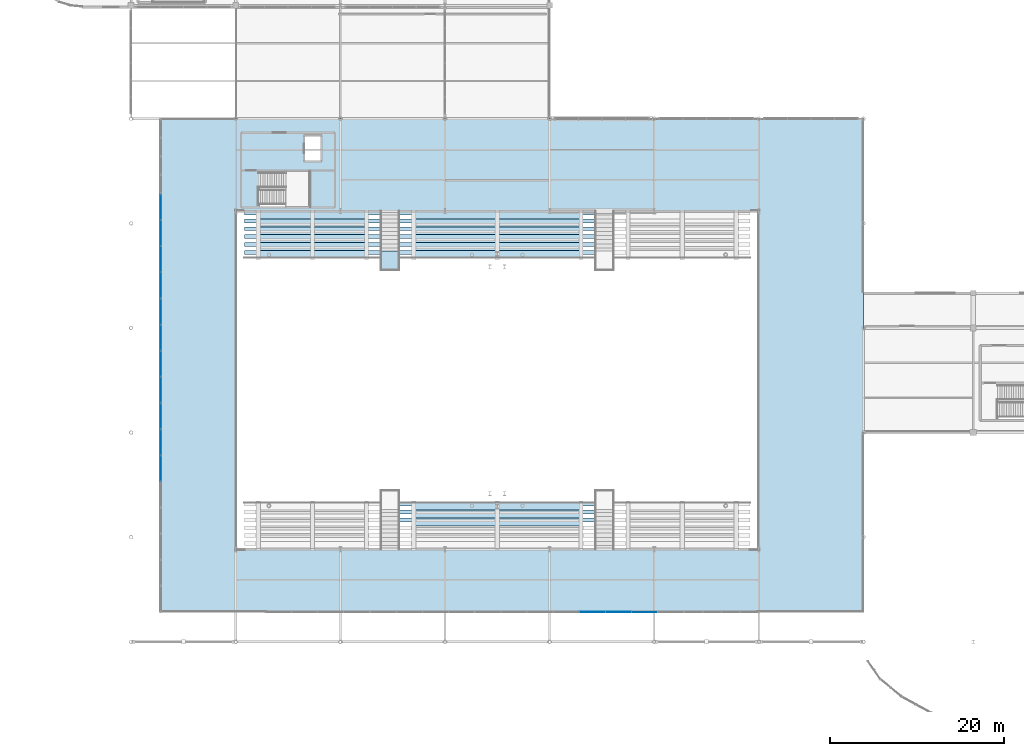
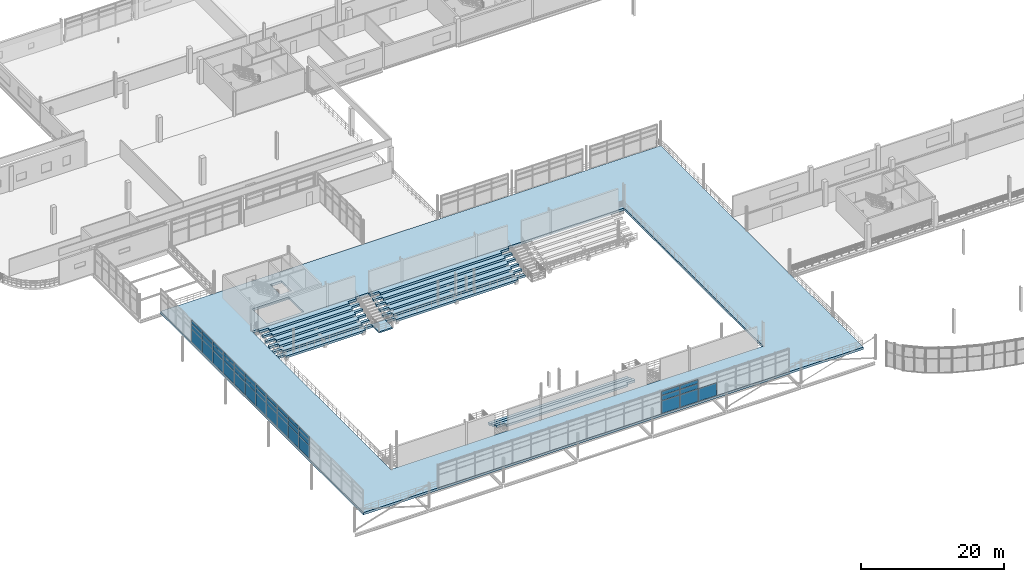
# One storey, part 55 of 89: 40 plates, 17 slabs, 5 elements without a shape of their own.
"""IFC4 building model written with IfcOpenShell, lengths in metres."""

from ifc_helpers import new_model, si_unit, direction, frame, origin, origin_2d, place, context, subcontext, project, spatial, polyline, rectangle, outline, extrude, material, layer, layer_set, type_object, element, aggregate, save


model = new_model("IFC4")

# Units and contexts
model_context = context("Model", 3, precision=1e-05, world=origin(), true_north=direction((0.0, 1.0)))
body_context = subcontext(model_context, "Body", "Model", "MODEL_VIEW")
ifc_project = project(units=[si_unit("LENGTHUNIT", "METRE"), si_unit("AREAUNIT", "SQUARE_METRE"), si_unit("VOLUMEUNIT", "CUBIC_METRE"), si_unit("PLANEANGLEUNIT", "RADIAN"), si_unit("MASSUNIT", "GRAM", prefix="KILO"), si_unit("THERMODYNAMICTEMPERATUREUNIT", "KELVIN"), si_unit("POWERUNIT", "WATT")], contexts=[model_context])

# Site, building, storey
site_placement = place(None, origin())
site = spatial("IfcSite", under=ifc_project, at=site_placement, CompositionType="ELEMENT")
building_placement = place(site_placement, origin())
building = spatial("IfcBuilding", under=site, at=building_placement, Name="Solmara Park Aquatics Centre", CompositionType="ELEMENT")
storey_placement = place(building_placement, frame((0.0, 0.0, 5.39990234375)))
storey = spatial("IfcBuildingStorey", under=building, at=storey_placement, Name="L01", CompositionType="ELEMENT", Elevation=5.39990234375)

# Curtain wall, plates
ifc_material_1 = material(Name="Anodised Aluminium Curtain Wall Framing", Category="aluminium")
curtain_wall_type = type_object("IfcCurtainWallType", Name="ARC-CW-SYS05", PredefinedType="USERDEFINED", material=ifc_material_1)
curtain_wall_1_placement = place(storey_placement, origin())
curtain_wall_1 = element("IfcCurtainWall", 1, at=curtain_wall_1_placement, inside=storey, type_object=curtain_wall_type, Name="Curtain Wall CW-008", ObjectType="CURTAIN WALL", PredefinedType="USERDEFINED")
ifc_material_2 = material(Name="Double Low-E Solar-Control Glazing", Category="glass")
ifc_layer_1 = layer(ifc_material_2, 0.031982421875, Name="Double Low-E Solar-Control Glazing")
ifc_layer_set_1 = layer_set([ifc_layer_1], Name="Double Low-E Solar-Control Glazing")
plate_type_1 = type_object("IfcPlateType", Name="ARC-CWP-GLZ32-2900x2140", PredefinedType="CURTAIN_PANEL", material=ifc_layer_set_1)
plate_1_placement = place(storey_placement, frame((65.510009765625, 16.0, 0.080078125), z_axis=(0.0, 0.0, 1.0), x_axis=(1.0, 0.0, 0.0)))
plate_1 = element("IfcPlate", 2, at=plate_1_placement, type_object=plate_type_1, Name="CW-008 panel 1", PredefinedType="CURTAIN_PANEL", context=body_context, shape_type="SweptSolid", body=[
    extrude(rectangle(XDim=2.89990234375, YDim=0.031982421875, at=origin_2d()), origin(), (0.0, 0.0, 1.0), 2.14208984375),
])
plate_2_placement = place(storey_placement, frame((68.489990234375, 16.0, 0.080078125), z_axis=(0.0, 0.0, 1.0), x_axis=(1.0, 0.0, 0.0)))
plate_2 = element("IfcPlate", 3, at=plate_2_placement, type_object=plate_type_1, Name="CW-008 panel 4", PredefinedType="CURTAIN_PANEL", context=body_context, shape_type="SweptSolid", body=[
    extrude(rectangle(XDim=2.89990234375, YDim=0.031982421875, at=origin_2d()), origin(), (0.0, 0.0, 1.0), 2.14208984375),
])
plate_3_placement = place(storey_placement, frame((71.469970703125, 16.0, 0.080078125), z_axis=(0.0, 0.0, 1.0), x_axis=(1.0, 0.0, 0.0)))
plate_3 = element("IfcPlate", 4, at=plate_3_placement, type_object=plate_type_1, Name="CW-008 panel 7", PredefinedType="CURTAIN_PANEL", context=body_context, shape_type="SweptSolid", body=[
    extrude(rectangle(XDim=2.89990234375, YDim=0.031982421875, at=origin_2d()), origin(), (0.0, 0.0, 1.0), 2.14208984375),
])
ifc_layer_2 = layer(ifc_material_2, 0.031982421875, Name="Double Low-E Solar-Control Glazing")
ifc_layer_set_2 = layer_set([ifc_layer_2], Name="Double Low-E Solar-Control Glazing")
plate_type_2 = type_object("IfcPlateType", Name="ARC-CWP-GLZ32-2900x800", PredefinedType="CURTAIN_PANEL", material=ifc_layer_set_2)
plate_4_placement = place(storey_placement, frame((65.510009765625, 16.0, 2.302001953125), z_axis=(0.0, 0.0, 1.0), x_axis=(1.0, 0.0, 0.0)))
plate_4 = element("IfcPlate", 5, at=plate_4_placement, type_object=plate_type_2, Name="CW-008 panel 2", PredefinedType="CURTAIN_PANEL", context=body_context, shape_type="SweptSolid", body=[
    extrude(rectangle(XDim=2.89990234375, YDim=0.031982421875, at=origin_2d()), origin(), (0.0, 0.0, 1.0), 0.80810546875),
])
plate_5_placement = place(storey_placement, frame((68.489990234375, 16.0, 2.302001953125), z_axis=(0.0, 0.0, 1.0), x_axis=(1.0, 0.0, 0.0)))
plate_5 = element("IfcPlate", 6, at=plate_5_placement, type_object=plate_type_2, Name="CW-008 panel 5", PredefinedType="CURTAIN_PANEL", context=body_context, shape_type="SweptSolid", body=[
    extrude(rectangle(XDim=2.89990234375, YDim=0.031982421875, at=origin_2d()), origin(), (0.0, 0.0, 1.0), 0.80810546875),
])

curtain_wall_2_placement = place(storey_placement, origin())
curtain_wall_2 = element("IfcCurtainWall", 7, at=curtain_wall_2_placement, inside=storey, type_object=curtain_wall_type, Name="Curtain Wall CW-014", ObjectType="CURTAIN WALL", PredefinedType="USERDEFINED")
ifc_layer_3 = layer(ifc_material_2, 0.035888671875, Name="Double Low-E Solar-Control Glazing")
ifc_layer_set_3 = layer_set([ifc_layer_3], Name="Double Low-E Solar-Control Glazing")
plate_type_3 = type_object("IfcPlateType", Name="ARC-CWP-GLZ36-2900x2140", PredefinedType="CURTAIN_PANEL", material=ifc_layer_set_3)
plate_6_placement = place(storey_placement, frame((16.0, 32.489990234375, 0.080078125), z_axis=(0.0, 0.0, 1.0), x_axis=(0.0, 1.0, 0.0)))
plate_6 = element("IfcPlate", 8, at=plate_6_placement, type_object=plate_type_3, Name="CW-014 panel 4", PredefinedType="CURTAIN_PANEL", context=body_context, shape_type="SweptSolid", body=[
    extrude(rectangle(XDim=2.89990234375, YDim=0.035888671875, at=origin_2d()), origin(), (0.0, 0.0, 1.0), 2.14208984375),
])
plate_7_placement = place(storey_placement, frame((16.0, 35.469970703125, 0.080078125), z_axis=(0.0, 0.0, 1.0), x_axis=(0.0, 1.0, 0.0)))
plate_7 = element("IfcPlate", 9, at=plate_7_placement, type_object=plate_type_3, Name="CW-014 panel 7", PredefinedType="CURTAIN_PANEL", context=body_context, shape_type="SweptSolid", body=[
    extrude(rectangle(XDim=2.89990234375, YDim=0.035888671875, at=origin_2d()), origin(), (0.0, 0.0, 1.0), 2.14208984375),
])
plate_8_placement = place(storey_placement, frame((16.0, 38.449951171875, 0.080078125), z_axis=(0.0, 0.0, 1.0), x_axis=(0.0, 1.0, 0.0)))
plate_8 = element("IfcPlate", 10, at=plate_8_placement, type_object=plate_type_3, Name="CW-014 panel 10", PredefinedType="CURTAIN_PANEL", context=body_context, shape_type="SweptSolid", body=[
    extrude(rectangle(XDim=2.89990234375, YDim=0.035888671875, at=origin_2d()), origin(), (0.0, 0.0, 1.0), 2.14208984375),
])

curtain_wall_3_placement = place(storey_placement, origin())
curtain_wall_3 = element("IfcCurtainWall", 11, at=curtain_wall_3_placement, inside=storey, type_object=curtain_wall_type, Name="Curtain Wall CW-016", ObjectType="CURTAIN WALL", PredefinedType="USERDEFINED")
plate_9_placement = place(storey_placement, frame((16.0, 41.510009765625, 0.080078125), z_axis=(0.0, 0.0, 1.0), x_axis=(0.0, 1.0, 0.0)))
plate_9 = element("IfcPlate", 12, at=plate_9_placement, type_object=plate_type_3, Name="CW-016 panel 1", PredefinedType="CURTAIN_PANEL", context=body_context, shape_type="SweptSolid", body=[
    extrude(rectangle(XDim=2.89990234375, YDim=0.035888671875, at=origin_2d()), origin(), (0.0, 0.0, 1.0), 2.14208984375),
])
plate_10_placement = place(storey_placement, frame((16.0, 44.489990234375, 0.080078125), z_axis=(0.0, 0.0, 1.0), x_axis=(0.0, 1.0, 0.0)))
plate_10 = element("IfcPlate", 13, at=plate_10_placement, type_object=plate_type_3, Name="CW-016 panel 4", PredefinedType="CURTAIN_PANEL", context=body_context, shape_type="SweptSolid", body=[
    extrude(rectangle(XDim=2.89990234375, YDim=0.035888671875, at=origin_2d()), origin(), (0.0, 0.0, 1.0), 2.14208984375),
])
plate_11_placement = place(storey_placement, frame((16.0, 47.469970703125, 0.080078125), z_axis=(0.0, 0.0, 1.0), x_axis=(0.0, 1.0, 0.0)))
plate_11 = element("IfcPlate", 14, at=plate_11_placement, type_object=plate_type_3, Name="CW-016 panel 7", PredefinedType="CURTAIN_PANEL", context=body_context, shape_type="SweptSolid", body=[
    extrude(rectangle(XDim=2.89990234375, YDim=0.035888671875, at=origin_2d()), origin(), (0.0, 0.0, 1.0), 2.14208984375),
])
plate_12_placement = place(storey_placement, frame((16.0, 50.449951171875, 0.080078125), z_axis=(0.0, 0.0, 1.0), x_axis=(0.0, 1.0, 0.0)))
plate_12 = element("IfcPlate", 15, at=plate_12_placement, type_object=plate_type_3, Name="CW-016 panel 10", PredefinedType="CURTAIN_PANEL", context=body_context, shape_type="SweptSolid", body=[
    extrude(rectangle(XDim=2.89990234375, YDim=0.035888671875, at=origin_2d()), origin(), (0.0, 0.0, 1.0), 2.14208984375),
])

curtain_wall_4_placement = place(storey_placement, origin())
curtain_wall_4 = element("IfcCurtainWall", 16, at=curtain_wall_4_placement, inside=storey, type_object=curtain_wall_type, Name="Curtain Wall CW-018", ObjectType="CURTAIN WALL", PredefinedType="USERDEFINED")
plate_13_placement = place(storey_placement, frame((16.0, 53.510009765625, 0.080078125), z_axis=(0.0, 0.0, 1.0), x_axis=(0.0, 1.0, 0.0)))
plate_13 = element("IfcPlate", 17, at=plate_13_placement, type_object=plate_type_3, Name="CW-018 panel 1", PredefinedType="CURTAIN_PANEL", context=body_context, shape_type="SweptSolid", body=[
    extrude(rectangle(XDim=2.89990234375, YDim=0.035888671875, at=origin_2d()), origin(), (0.0, 0.0, 1.0), 2.14208984375),
])
plate_14_placement = place(storey_placement, frame((16.0, 56.489990234375, 0.080078125), z_axis=(0.0, 0.0, 1.0), x_axis=(0.0, 1.0, 0.0)))
plate_14 = element("IfcPlate", 18, at=plate_14_placement, type_object=plate_type_3, Name="CW-018 panel 4", PredefinedType="CURTAIN_PANEL", context=body_context, shape_type="SweptSolid", body=[
    extrude(rectangle(XDim=2.89990234375, YDim=0.035888671875, at=origin_2d()), origin(), (0.0, 0.0, 1.0), 2.14208984375),
])
plate_15_placement = place(storey_placement, frame((16.0, 59.469970703125, 0.080078125), z_axis=(0.0, 0.0, 1.0), x_axis=(0.0, 1.0, 0.0)))
plate_15 = element("IfcPlate", 19, at=plate_15_placement, type_object=plate_type_3, Name="CW-018 panel 7", PredefinedType="CURTAIN_PANEL", context=body_context, shape_type="SweptSolid", body=[
    extrude(rectangle(XDim=2.89990234375, YDim=0.035888671875, at=origin_2d()), origin(), (0.0, 0.0, 1.0), 2.14208984375),
])
plate_16_placement = place(storey_placement, frame((16.0, 62.449951171875, 0.080078125), z_axis=(0.0, 0.0, 1.0), x_axis=(0.0, 1.0, 0.0)))
plate_16 = element("IfcPlate", 20, at=plate_16_placement, type_object=plate_type_3, Name="CW-018 panel 10", PredefinedType="CURTAIN_PANEL", context=body_context, shape_type="SweptSolid", body=[
    extrude(rectangle(XDim=2.89990234375, YDim=0.035888671875, at=origin_2d()), origin(), (0.0, 0.0, 1.0), 2.14208984375),
])

# Plate
ifc_layer_4 = layer(ifc_material_2, 0.035888671875, Name="Double Low-E Solar-Control Glazing")
ifc_layer_set_4 = layer_set([ifc_layer_4], Name="Double Low-E Solar-Control Glazing")
plate_type_4 = type_object("IfcPlateType", Name="ARC-CWP-GLZ36-2900x800", PredefinedType="CURTAIN_PANEL", material=ifc_layer_set_4)
plate_17_placement = place(storey_placement, frame((16.0, 32.489990234375, 2.302001953125), z_axis=(0.0, 0.0, 1.0), x_axis=(0.0, 1.0, 0.0)))
plate_17 = element("IfcPlate", 21, at=plate_17_placement, type_object=plate_type_4, Name="CW-014 panel 5", PredefinedType="CURTAIN_PANEL", context=body_context, shape_type="SweptSolid", body=[
    extrude(rectangle(XDim=2.89990234375, YDim=0.035888671875, at=origin_2d()), origin(), (0.0, 0.0, 1.0), 0.80810546875),
])

plate_18_placement = place(storey_placement, frame((16.0, 35.469970703125, 2.302001953125), z_axis=(0.0, 0.0, 1.0), x_axis=(0.0, 1.0, 0.0)))
plate_18 = element("IfcPlate", 22, at=plate_18_placement, type_object=plate_type_4, Name="CW-014 panel 8", PredefinedType="CURTAIN_PANEL", context=body_context, shape_type="SweptSolid", body=[
    extrude(rectangle(XDim=2.89990234375, YDim=0.035888671875, at=origin_2d()), origin(), (0.0, 0.0, 1.0), 0.80810546875),
])

plate_19_placement = place(storey_placement, frame((16.0, 38.449951171875, 2.302001953125), z_axis=(0.0, 0.0, 1.0), x_axis=(0.0, 1.0, 0.0)))
plate_19 = element("IfcPlate", 23, at=plate_19_placement, type_object=plate_type_4, Name="CW-014 panel 11", PredefinedType="CURTAIN_PANEL", context=body_context, shape_type="SweptSolid", body=[
    extrude(rectangle(XDim=2.89990234375, YDim=0.035888671875, at=origin_2d()), origin(), (0.0, 0.0, 1.0), 0.80810546875),
])

plate_20_placement = place(storey_placement, frame((16.0, 41.510009765625, 2.302001953125), z_axis=(0.0, 0.0, 1.0), x_axis=(0.0, 1.0, 0.0)))
plate_20 = element("IfcPlate", 24, at=plate_20_placement, type_object=plate_type_4, Name="CW-016 panel 2", PredefinedType="CURTAIN_PANEL", context=body_context, shape_type="SweptSolid", body=[
    extrude(rectangle(XDim=2.89990234375, YDim=0.035888671875, at=origin_2d()), origin(), (0.0, 0.0, 1.0), 0.80810546875),
])

plate_21_placement = place(storey_placement, frame((16.0, 44.489990234375, 2.302001953125), z_axis=(0.0, 0.0, 1.0), x_axis=(0.0, 1.0, 0.0)))
plate_21 = element("IfcPlate", 25, at=plate_21_placement, type_object=plate_type_4, Name="CW-016 panel 5", PredefinedType="CURTAIN_PANEL", context=body_context, shape_type="SweptSolid", body=[
    extrude(rectangle(XDim=2.89990234375, YDim=0.035888671875, at=origin_2d()), origin(), (0.0, 0.0, 1.0), 0.80810546875),
])

plate_22_placement = place(storey_placement, frame((16.0, 47.469970703125, 2.302001953125), z_axis=(0.0, 0.0, 1.0), x_axis=(0.0, 1.0, 0.0)))
plate_22 = element("IfcPlate", 26, at=plate_22_placement, type_object=plate_type_4, Name="CW-016 panel 8", PredefinedType="CURTAIN_PANEL", context=body_context, shape_type="SweptSolid", body=[
    extrude(rectangle(XDim=2.89990234375, YDim=0.035888671875, at=origin_2d()), origin(), (0.0, 0.0, 1.0), 0.80810546875),
])

plate_23_placement = place(storey_placement, frame((16.0, 50.449951171875, 2.302001953125), z_axis=(0.0, 0.0, 1.0), x_axis=(0.0, 1.0, 0.0)))
plate_23 = element("IfcPlate", 27, at=plate_23_placement, type_object=plate_type_4, Name="CW-016 panel 11", PredefinedType="CURTAIN_PANEL", context=body_context, shape_type="SweptSolid", body=[
    extrude(rectangle(XDim=2.89990234375, YDim=0.035888671875, at=origin_2d()), origin(), (0.0, 0.0, 1.0), 0.80810546875),
])

plate_24_placement = place(storey_placement, frame((16.0, 53.510009765625, 2.302001953125), z_axis=(0.0, 0.0, 1.0), x_axis=(0.0, 1.0, 0.0)))
plate_24 = element("IfcPlate", 28, at=plate_24_placement, type_object=plate_type_4, Name="CW-018 panel 2", PredefinedType="CURTAIN_PANEL", context=body_context, shape_type="SweptSolid", body=[
    extrude(rectangle(XDim=2.89990234375, YDim=0.035888671875, at=origin_2d()), origin(), (0.0, 0.0, 1.0), 0.80810546875),
])

plate_25_placement = place(storey_placement, frame((16.0, 56.489990234375, 2.302001953125), z_axis=(0.0, 0.0, 1.0), x_axis=(0.0, 1.0, 0.0)))
plate_25 = element("IfcPlate", 29, at=plate_25_placement, type_object=plate_type_4, Name="CW-018 panel 5", PredefinedType="CURTAIN_PANEL", context=body_context, shape_type="SweptSolid", body=[
    extrude(rectangle(XDim=2.89990234375, YDim=0.035888671875, at=origin_2d()), origin(), (0.0, 0.0, 1.0), 0.80810546875),
])

plate_26_placement = place(storey_placement, frame((16.0, 59.469970703125, 2.302001953125), z_axis=(0.0, 0.0, 1.0), x_axis=(0.0, 1.0, 0.0)))
plate_26 = element("IfcPlate", 30, at=plate_26_placement, type_object=plate_type_4, Name="CW-018 panel 8", PredefinedType="CURTAIN_PANEL", context=body_context, shape_type="SweptSolid", body=[
    extrude(rectangle(XDim=2.89990234375, YDim=0.035888671875, at=origin_2d()), origin(), (0.0, 0.0, 1.0), 0.80810546875),
])

plate_27_placement = place(storey_placement, frame((16.0, 62.449951171875, 2.302001953125), z_axis=(0.0, 0.0, 1.0), x_axis=(0.0, 1.0, 0.0)))
plate_27 = element("IfcPlate", 31, at=plate_27_placement, type_object=plate_type_4, Name="CW-018 panel 11", PredefinedType="CURTAIN_PANEL", context=body_context, shape_type="SweptSolid", body=[
    extrude(rectangle(XDim=2.89990234375, YDim=0.035888671875, at=origin_2d()), origin(), (0.0, 0.0, 1.0), 0.80810546875),
])

ifc_material_3 = material(Name="Golden-Ochre Enamelled Aluminium Fascia Panel", Category="aluminium")
ifc_layer_5 = layer(ifc_material_3, 0.0400390625, Name="Golden-Ochre Enamelled Aluminium Fascia Panel")
ifc_layer_set_5 = layer_set([ifc_layer_5], Name="Golden-Ochre Enamelled Aluminium Fascia Panel")
plate_type_5 = type_object("IfcPlateType", Name="ARC-CWP-OCH40-2900x640", PredefinedType="CURTAIN_PANEL", material=ifc_layer_set_5)
plate_28_placement = place(storey_placement, frame((65.510009765625, 16.0, 3.190185546875), z_axis=(0.0, 0.0, 1.0), x_axis=(1.0, 0.0, 0.0)))
plate_28 = element("IfcPlate", 32, at=plate_28_placement, type_object=plate_type_5, Name="CW-008 panel 3", PredefinedType="CURTAIN_PANEL", context=body_context, shape_type="SweptSolid", body=[
    extrude(rectangle(XDim=2.89990234375, YDim=0.0400390625, at=origin_2d()), origin(), (0.0, 0.0, 1.0), 0.6298828125),
])

plate_29_placement = place(storey_placement, frame((68.489990234375, 16.0, 3.190185546875), z_axis=(0.0, 0.0, 1.0), x_axis=(1.0, 0.0, 0.0)))
plate_29 = element("IfcPlate", 33, at=plate_29_placement, type_object=plate_type_5, Name="CW-008 panel 6", PredefinedType="CURTAIN_PANEL", context=body_context, shape_type="SweptSolid", body=[
    extrude(rectangle(XDim=2.89990234375, YDim=0.0400390625, at=origin_2d()), origin(), (0.0, 0.0, 1.0), 0.6298828125),
])

aggregate(curtain_wall_1, [plate_1, plate_4, plate_28, plate_2, plate_5, plate_29, plate_3])

plate_30_placement = place(storey_placement, frame((16.0, 41.510009765625, 3.190185546875), z_axis=(0.0, 0.0, 1.0), x_axis=(0.0, 1.0, 0.0)))
plate_30 = element("IfcPlate", 34, at=plate_30_placement, type_object=plate_type_5, Name="CW-016 panel 3", PredefinedType="CURTAIN_PANEL", context=body_context, shape_type="SweptSolid", body=[
    extrude(rectangle(XDim=2.89990234375, YDim=0.0400390625, at=origin_2d()), origin(), (0.0, 0.0, 1.0), 0.6298828125),
])

plate_31_placement = place(storey_placement, frame((16.0, 44.489990234375, 3.190185546875), z_axis=(0.0, 0.0, 1.0), x_axis=(0.0, 1.0, 0.0)))
plate_31 = element("IfcPlate", 35, at=plate_31_placement, type_object=plate_type_5, Name="CW-016 panel 6", PredefinedType="CURTAIN_PANEL", context=body_context, shape_type="SweptSolid", body=[
    extrude(rectangle(XDim=2.89990234375, YDim=0.0400390625, at=origin_2d()), origin(), (0.0, 0.0, 1.0), 0.6298828125),
])

plate_32_placement = place(storey_placement, frame((16.0, 47.469970703125, 3.190185546875), z_axis=(0.0, 0.0, 1.0), x_axis=(0.0, 1.0, 0.0)))
plate_32 = element("IfcPlate", 36, at=plate_32_placement, type_object=plate_type_5, Name="CW-016 panel 9", PredefinedType="CURTAIN_PANEL", context=body_context, shape_type="SweptSolid", body=[
    extrude(rectangle(XDim=2.89990234375, YDim=0.0400390625, at=origin_2d()), origin(), (0.0, 0.0, 1.0), 0.6298828125),
])

plate_33_placement = place(storey_placement, frame((16.0, 50.449951171875, 3.190185546875), z_axis=(0.0, 0.0, 1.0), x_axis=(0.0, 1.0, 0.0)))
plate_33 = element("IfcPlate", 37, at=plate_33_placement, type_object=plate_type_5, Name="CW-016 panel 12", PredefinedType="CURTAIN_PANEL", context=body_context, shape_type="SweptSolid", body=[
    extrude(rectangle(XDim=2.89990234375, YDim=0.0400390625, at=origin_2d()), origin(), (0.0, 0.0, 1.0), 0.6298828125),
])

aggregate(curtain_wall_3, [plate_9, plate_20, plate_30, plate_10, plate_21, plate_31, plate_11, plate_22, plate_32, plate_12, plate_23, plate_33])

ifc_material_4 = material(Name="Insulated Anodised Aluminium Spandrel Panel", Category="aluminium")
ifc_layer_6 = layer(ifc_material_4, 0.0439453125, Name="Insulated Anodised Aluminium Spandrel Panel")
ifc_layer_set_6 = layer_set([ifc_layer_6], Name="Insulated Anodised Aluminium Spandrel Panel")
plate_type_6 = type_object("IfcPlateType", Name="ARC-CWP-SPN44-2900x640", PredefinedType="CURTAIN_PANEL", material=ifc_layer_set_6)
plate_34_placement = place(storey_placement, frame((16.0, 32.489990234375, 3.190185546875), z_axis=(0.0, 0.0, 1.0), x_axis=(0.0, 1.0, 0.0)))
plate_34 = element("IfcPlate", 38, at=plate_34_placement, type_object=plate_type_6, Name="CW-014 panel 6", PredefinedType="CURTAIN_PANEL", context=body_context, shape_type="SweptSolid", body=[
    extrude(rectangle(XDim=2.89990234375, YDim=0.0439453125, at=origin_2d()), origin(), (0.0, 0.0, 1.0), 0.6298828125),
])

plate_35_placement = place(storey_placement, frame((16.0, 35.469970703125, 3.190185546875), z_axis=(0.0, 0.0, 1.0), x_axis=(0.0, 1.0, 0.0)))
plate_35 = element("IfcPlate", 39, at=plate_35_placement, type_object=plate_type_6, Name="CW-014 panel 9", PredefinedType="CURTAIN_PANEL", context=body_context, shape_type="SweptSolid", body=[
    extrude(rectangle(XDim=2.89990234375, YDim=0.0439453125, at=origin_2d()), origin(), (0.0, 0.0, 1.0), 0.6298828125),
])

plate_36_placement = place(storey_placement, frame((16.0, 38.449951171875, 3.190185546875), z_axis=(0.0, 0.0, 1.0), x_axis=(0.0, 1.0, 0.0)))
plate_36 = element("IfcPlate", 40, at=plate_36_placement, type_object=plate_type_6, Name="CW-014 panel 12", PredefinedType="CURTAIN_PANEL", context=body_context, shape_type="SweptSolid", body=[
    extrude(rectangle(XDim=2.89990234375, YDim=0.0439453125, at=origin_2d()), origin(), (0.0, 0.0, 1.0), 0.6298828125),
])

aggregate(curtain_wall_2, [plate_6, plate_17, plate_34, plate_7, plate_18, plate_35, plate_8, plate_19, plate_36])

plate_37_placement = place(storey_placement, frame((16.0, 53.510009765625, 3.190185546875), z_axis=(0.0, 0.0, 1.0), x_axis=(0.0, 1.0, 0.0)))
plate_37 = element("IfcPlate", 41, at=plate_37_placement, type_object=plate_type_6, Name="CW-018 panel 3", PredefinedType="CURTAIN_PANEL", context=body_context, shape_type="SweptSolid", body=[
    extrude(rectangle(XDim=2.89990234375, YDim=0.0439453125, at=origin_2d()), origin(), (0.0, 0.0, 1.0), 0.6298828125),
])

plate_38_placement = place(storey_placement, frame((16.0, 56.489990234375, 3.190185546875), z_axis=(0.0, 0.0, 1.0), x_axis=(0.0, 1.0, 0.0)))
plate_38 = element("IfcPlate", 42, at=plate_38_placement, type_object=plate_type_6, Name="CW-018 panel 6", PredefinedType="CURTAIN_PANEL", context=body_context, shape_type="SweptSolid", body=[
    extrude(rectangle(XDim=2.89990234375, YDim=0.0439453125, at=origin_2d()), origin(), (0.0, 0.0, 1.0), 0.6298828125),
])

plate_39_placement = place(storey_placement, frame((16.0, 59.469970703125, 3.190185546875), z_axis=(0.0, 0.0, 1.0), x_axis=(0.0, 1.0, 0.0)))
plate_39 = element("IfcPlate", 43, at=plate_39_placement, type_object=plate_type_6, Name="CW-018 panel 9", PredefinedType="CURTAIN_PANEL", context=body_context, shape_type="SweptSolid", body=[
    extrude(rectangle(XDim=2.89990234375, YDim=0.0439453125, at=origin_2d()), origin(), (0.0, 0.0, 1.0), 0.6298828125),
])

plate_40_placement = place(storey_placement, frame((16.0, 62.449951171875, 3.190185546875), z_axis=(0.0, 0.0, 1.0), x_axis=(0.0, 1.0, 0.0)))
plate_40 = element("IfcPlate", 44, at=plate_40_placement, type_object=plate_type_6, Name="CW-018 panel 12", PredefinedType="CURTAIN_PANEL", context=body_context, shape_type="SweptSolid", body=[
    extrude(rectangle(XDim=2.89990234375, YDim=0.0439453125, at=origin_2d()), origin(), (0.0, 0.0, 1.0), 0.6298828125),
])

aggregate(curtain_wall_4, [plate_13, plate_24, plate_37, plate_14, plate_25, plate_38, plate_15, plate_26, plate_39, plate_16, plate_27, plate_40])

# Stair, slab
ifc_material_5 = material(Name="Concrete C40/50", Category="concrete")
stair_type = type_object("IfcStairType", Name="ARC-ST-VOM1", PredefinedType="STRAIGHT_RUN_STAIR", material=ifc_material_5)
stair_placement = place(storey_placement, origin())
stair = element("IfcStair", 45, at=stair_placement, inside=storey, type_object=stair_type, Name="Vomitory Stair VS-01", PredefinedType="STRAIGHT_RUN_STAIR")
ifc_layer_7 = layer(ifc_material_5, 0.219970703125, Name="Concrete C40/50")
ifc_layer_set_7 = layer_set([ifc_layer_7], Name="Concrete C40/50")
slab_type_1 = type_object("IfcSlabType", Name="ARC-SLB-LND220", PredefinedType="LANDING", material=ifc_layer_set_7)
slab_1_placement = place(storey_placement, frame((0.0, 0.0, -2.02001953125)))
slab_1 = element("IfcSlab", 46, at=slab_1_placement, type_object=slab_type_1, Name="VS-01 landing 1", PredefinedType="LANDING", context=body_context, shape_type="SweptSolid", body=[
    extrude(outline(polyline([(41.199951171875, 55.22998046875), (43.39990234375, 55.22998046875), (43.39990234375, 57.409912109375), (41.199951171875, 57.409912109375), (41.199951171875, 55.22998046875)])), origin(), (0.0, 0.0, 1.0), 0.22021484375),
])
aggregate(stair, [slab_1])

# Slabs
ifc_layer_8 = layer(ifc_material_5, 0.39990234375, Name="Concrete C40/50")
ifc_layer_set_8 = layer_set([ifc_layer_8], Name="Concrete C40/50")
slab_type_2 = type_object("IfcSlabType", Name="STR-SLB-CONC400", PredefinedType="FLOOR", material=ifc_layer_set_8)
slab_2_placement = place(storey_placement, frame((0.0, 0.0, -0.39990234375)))
element("IfcSlab", 47, at=slab_2_placement, inside=storey, type_object=slab_type_2, Name="Competition Hall L01 Spectator Concourse Ring", PredefinedType="FLOOR", context=body_context, shape_type="SweptSolid", body=[
    extrude(outline(polyline([(16.0, 16.0), (96.60009765625, 16.0), (96.60009765625, 72.60009765625), (16.0, 72.60009765625), (16.0, 16.0)]), holes=[polyline([(24.60009765625, 23.199951171875), (84.60009765625, 23.199951171875), (84.60009765625, 62.0), (24.60009765625, 62.0), (24.60009765625, 23.199951171875)]), polyline([(27.35009765625, 62.530029296875), (33.25, 62.530029296875), (33.25, 66.669921875), (27.35009765625, 66.669921875), (27.35009765625, 62.530029296875)]), polyline([(32.52001953125, 67.800048828125), (34.35009765625, 67.800048828125), (34.35009765625, 70.60009765625), (32.52001953125, 70.60009765625), (32.52001953125, 67.800048828125)])]), origin(), (0.0, 0.0, 1.0), 0.39990234375),
])
ifc_material_6 = material(Name="Precast Concrete C40/50", Category="concrete")
ifc_layer_9 = layer(ifc_material_6, 0.3798828125, Name="Precast Concrete C40/50")
ifc_layer_set_9 = layer_set([ifc_layer_9], Name="Precast Concrete C40/50")
slab_type_3 = type_object("IfcSlabType", Name="STR-SLB-TIER380", PredefinedType="USERDEFINED", material=ifc_layer_set_9)
slab_3_placement = place(storey_placement, frame((0.0, 0.0, -2.179931640625)))
element("IfcSlab", 48, at=slab_3_placement, inside=storey, type_object=slab_type_3, Name="Stand Lower Tier N Bay 1 Row 1", ObjectType="SEATING TIER", PredefinedType="USERDEFINED", context=body_context, shape_type="SweptSolid", body=[
    extrude(outline(polyline([(27.0, 56.60009765625), (39.800048828125, 56.60009765625), (39.800048828125, 57.050048828125), (41.199951171875, 57.050048828125), (41.199951171875, 57.5), (25.60009765625, 57.5), (25.60009765625, 57.050048828125), (27.0, 57.050048828125), (27.0, 56.60009765625)])), origin(), (0.0, 0.0, 1.0), 0.380126953125),
])
slab_4_placement = place(storey_placement, frame((0.0, 0.0, -1.81982421875)))
element("IfcSlab", 49, at=slab_4_placement, inside=storey, type_object=slab_type_3, Name="Stand Lower Tier N Bay 1 Row 2", ObjectType="SEATING TIER", PredefinedType="USERDEFINED", context=body_context, shape_type="SweptSolid", body=[
    extrude(outline(polyline([(27.0, 57.5), (39.800048828125, 57.5), (39.800048828125, 57.949951171875), (41.199951171875, 57.949951171875), (41.199951171875, 58.39990234375), (25.60009765625, 58.39990234375), (25.60009765625, 57.949951171875), (27.0, 57.949951171875), (27.0, 57.5)])), origin(), (0.0, 0.0, 1.0), 0.3798828125),
])
slab_5_placement = place(storey_placement, frame((0.0, 0.0, -1.4599609375)))
element("IfcSlab", 50, at=slab_5_placement, inside=storey, type_object=slab_type_3, Name="Stand Lower Tier N Bay 1 Row 3", ObjectType="SEATING TIER", PredefinedType="USERDEFINED", context=body_context, shape_type="SweptSolid", body=[
    extrude(outline(polyline([(27.0, 58.39990234375), (39.800048828125, 58.39990234375), (39.800048828125, 58.85009765625), (41.199951171875, 58.85009765625), (41.199951171875, 59.300048828125), (25.60009765625, 59.300048828125), (25.60009765625, 58.85009765625), (27.0, 58.85009765625), (27.0, 58.39990234375)])), origin(), (0.0, 0.0, 1.0), 0.380126953125),
])
slab_6_placement = place(storey_placement, frame((0.0, 0.0, -1.099853515625)))
element("IfcSlab", 51, at=slab_6_placement, inside=storey, type_object=slab_type_3, Name="Stand Lower Tier N Bay 1 Row 4", ObjectType="SEATING TIER", PredefinedType="USERDEFINED", context=body_context, shape_type="SweptSolid", body=[
    extrude(outline(polyline([(27.0, 59.300048828125), (39.800048828125, 59.300048828125), (39.800048828125, 59.75), (41.199951171875, 59.75), (41.199951171875, 60.199951171875), (25.60009765625, 60.199951171875), (25.60009765625, 59.75), (27.0, 59.75), (27.0, 59.300048828125)])), origin(), (0.0, 0.0, 1.0), 0.3798828125),
])
slab_7_placement = place(storey_placement, frame((0.0, 0.0, -0.739990234375)))
element("IfcSlab", 52, at=slab_7_placement, inside=storey, type_object=slab_type_3, Name="Stand Lower Tier N Bay 1 Row 5", ObjectType="SEATING TIER", PredefinedType="USERDEFINED", context=body_context, shape_type="SweptSolid", body=[
    extrude(outline(polyline([(27.0, 60.199951171875), (39.800048828125, 60.199951171875), (39.800048828125, 60.64990234375), (41.199951171875, 60.64990234375), (41.199951171875, 61.10009765625), (25.60009765625, 61.10009765625), (25.60009765625, 60.64990234375), (27.0, 60.64990234375), (27.0, 60.199951171875)])), origin(), (0.0, 0.0, 1.0), 0.380126953125),
])
slab_8_placement = place(storey_placement, frame((0.0, 0.0, -0.3798828125)))
element("IfcSlab", 53, at=slab_8_placement, inside=storey, type_object=slab_type_3, Name="Stand Lower Tier N Bay 1 Row 6", ObjectType="SEATING TIER", PredefinedType="USERDEFINED", context=body_context, shape_type="SweptSolid", body=[
    extrude(outline(polyline([(27.0, 61.10009765625), (39.800048828125, 61.10009765625), (39.800048828125, 61.550048828125), (41.199951171875, 61.550048828125), (41.199951171875, 62.0), (25.60009765625, 62.0), (25.60009765625, 61.550048828125), (27.0, 61.550048828125), (27.0, 61.10009765625)])), origin(), (0.0, 0.0, 1.0), 0.3798828125),
])
slab_9_placement = place(storey_placement, frame((0.0, 0.0, -2.179931640625)))
element("IfcSlab", 54, at=slab_9_placement, inside=storey, type_object=slab_type_3, Name="Stand Lower Tier N Bay 2 Row 1", ObjectType="SEATING TIER", PredefinedType="USERDEFINED", context=body_context, shape_type="SweptSolid", body=[
    extrude(outline(polyline([(44.800048828125, 56.60009765625), (64.39990234375, 56.60009765625), (64.39990234375, 57.050048828125), (65.800048828125, 57.050048828125), (65.800048828125, 57.5), (43.39990234375, 57.5), (43.39990234375, 57.050048828125), (44.800048828125, 57.050048828125), (44.800048828125, 56.60009765625)])), origin(), (0.0, 0.0, 1.0), 0.380126953125),
])
slab_10_placement = place(storey_placement, frame((0.0, 0.0, -1.81982421875)))
element("IfcSlab", 55, at=slab_10_placement, inside=storey, type_object=slab_type_3, Name="Stand Lower Tier N Bay 2 Row 2", ObjectType="SEATING TIER", PredefinedType="USERDEFINED", context=body_context, shape_type="SweptSolid", body=[
    extrude(outline(polyline([(44.800048828125, 57.5), (64.39990234375, 57.5), (64.39990234375, 57.949951171875), (65.800048828125, 57.949951171875), (65.800048828125, 58.39990234375), (43.39990234375, 58.39990234375), (43.39990234375, 57.949951171875), (44.800048828125, 57.949951171875), (44.800048828125, 57.5)])), origin(), (0.0, 0.0, 1.0), 0.3798828125),
])
slab_11_placement = place(storey_placement, frame((0.0, 0.0, -1.4599609375)))
element("IfcSlab", 56, at=slab_11_placement, inside=storey, type_object=slab_type_3, Name="Stand Lower Tier N Bay 2 Row 3", ObjectType="SEATING TIER", PredefinedType="USERDEFINED", context=body_context, shape_type="SweptSolid", body=[
    extrude(outline(polyline([(44.800048828125, 58.39990234375), (64.39990234375, 58.39990234375), (64.39990234375, 58.85009765625), (65.800048828125, 58.85009765625), (65.800048828125, 59.300048828125), (43.39990234375, 59.300048828125), (43.39990234375, 58.85009765625), (44.800048828125, 58.85009765625), (44.800048828125, 58.39990234375)])), origin(), (0.0, 0.0, 1.0), 0.380126953125),
])
slab_12_placement = place(storey_placement, frame((0.0, 0.0, -1.099853515625)))
element("IfcSlab", 57, at=slab_12_placement, inside=storey, type_object=slab_type_3, Name="Stand Lower Tier N Bay 2 Row 4", ObjectType="SEATING TIER", PredefinedType="USERDEFINED", context=body_context, shape_type="SweptSolid", body=[
    extrude(outline(polyline([(44.800048828125, 59.300048828125), (64.39990234375, 59.300048828125), (64.39990234375, 59.75), (65.800048828125, 59.75), (65.800048828125, 60.199951171875), (43.39990234375, 60.199951171875), (43.39990234375, 59.75), (44.800048828125, 59.75), (44.800048828125, 59.300048828125)])), origin(), (0.0, 0.0, 1.0), 0.3798828125),
])
slab_13_placement = place(storey_placement, frame((0.0, 0.0, -0.739990234375)))
element("IfcSlab", 58, at=slab_13_placement, inside=storey, type_object=slab_type_3, Name="Stand Lower Tier N Bay 2 Row 5", ObjectType="SEATING TIER", PredefinedType="USERDEFINED", context=body_context, shape_type="SweptSolid", body=[
    extrude(outline(polyline([(44.800048828125, 60.199951171875), (64.39990234375, 60.199951171875), (64.39990234375, 60.64990234375), (65.800048828125, 60.64990234375), (65.800048828125, 61.10009765625), (43.39990234375, 61.10009765625), (43.39990234375, 60.64990234375), (44.800048828125, 60.64990234375), (44.800048828125, 60.199951171875)])), origin(), (0.0, 0.0, 1.0), 0.380126953125),
])
slab_14_placement = place(storey_placement, frame((0.0, 0.0, -0.3798828125)))
element("IfcSlab", 59, at=slab_14_placement, inside=storey, type_object=slab_type_3, Name="Stand Lower Tier N Bay 2 Row 6", ObjectType="SEATING TIER", PredefinedType="USERDEFINED", context=body_context, shape_type="SweptSolid", body=[
    extrude(outline(polyline([(44.800048828125, 61.10009765625), (64.39990234375, 61.10009765625), (64.39990234375, 61.550048828125), (65.800048828125, 61.550048828125), (65.800048828125, 62.0), (43.39990234375, 62.0), (43.39990234375, 61.550048828125), (44.800048828125, 61.550048828125), (44.800048828125, 61.10009765625)])), origin(), (0.0, 0.0, 1.0), 0.3798828125),
])
slab_15_placement = place(storey_placement, frame((0.0, 0.0, -2.179931640625)))
element("IfcSlab", 60, at=slab_15_placement, inside=storey, type_object=slab_type_3, Name="Stand Lower Tier S Bay 2 Row 1", ObjectType="SEATING TIER", PredefinedType="USERDEFINED", context=body_context, shape_type="SweptSolid", body=[
    extrude(outline(polyline([(44.800048828125, 27.699951171875), (64.39990234375, 27.699951171875), (64.39990234375, 28.14990234375), (65.800048828125, 28.14990234375), (65.800048828125, 28.60009765625), (43.39990234375, 28.60009765625), (43.39990234375, 28.14990234375), (44.800048828125, 28.14990234375), (44.800048828125, 27.699951171875)])), origin(), (0.0, 0.0, 1.0), 0.380126953125),
])
slab_16_placement = place(storey_placement, frame((0.0, 0.0, -1.81982421875)))
element("IfcSlab", 61, at=slab_16_placement, inside=storey, type_object=slab_type_3, Name="Stand Lower Tier S Bay 2 Row 2", ObjectType="SEATING TIER", PredefinedType="USERDEFINED", context=body_context, shape_type="SweptSolid", body=[
    extrude(outline(polyline([(44.800048828125, 26.800048828125), (64.39990234375, 26.800048828125), (64.39990234375, 27.25), (65.800048828125, 27.25), (65.800048828125, 27.699951171875), (43.39990234375, 27.699951171875), (43.39990234375, 27.25), (44.800048828125, 27.25), (44.800048828125, 26.800048828125)])), origin(), (0.0, 0.0, 1.0), 0.3798828125),
])
slab_17_placement = place(storey_placement, frame((0.0, 0.0, -1.4599609375)))
element("IfcSlab", 62, at=slab_17_placement, inside=storey, type_object=slab_type_3, Name="Stand Lower Tier S Bay 2 Row 3", ObjectType="SEATING TIER", PredefinedType="USERDEFINED", context=body_context, shape_type="SweptSolid", body=[
    extrude(outline(polyline([(44.800048828125, 25.89990234375), (64.39990234375, 25.89990234375), (64.39990234375, 26.35009765625), (65.800048828125, 26.35009765625), (65.800048828125, 26.800048828125), (43.39990234375, 26.800048828125), (43.39990234375, 26.35009765625), (44.800048828125, 26.35009765625), (44.800048828125, 25.89990234375)])), origin(), (0.0, 0.0, 1.0), 0.380126953125),
])

save(model, "model.ifc")
